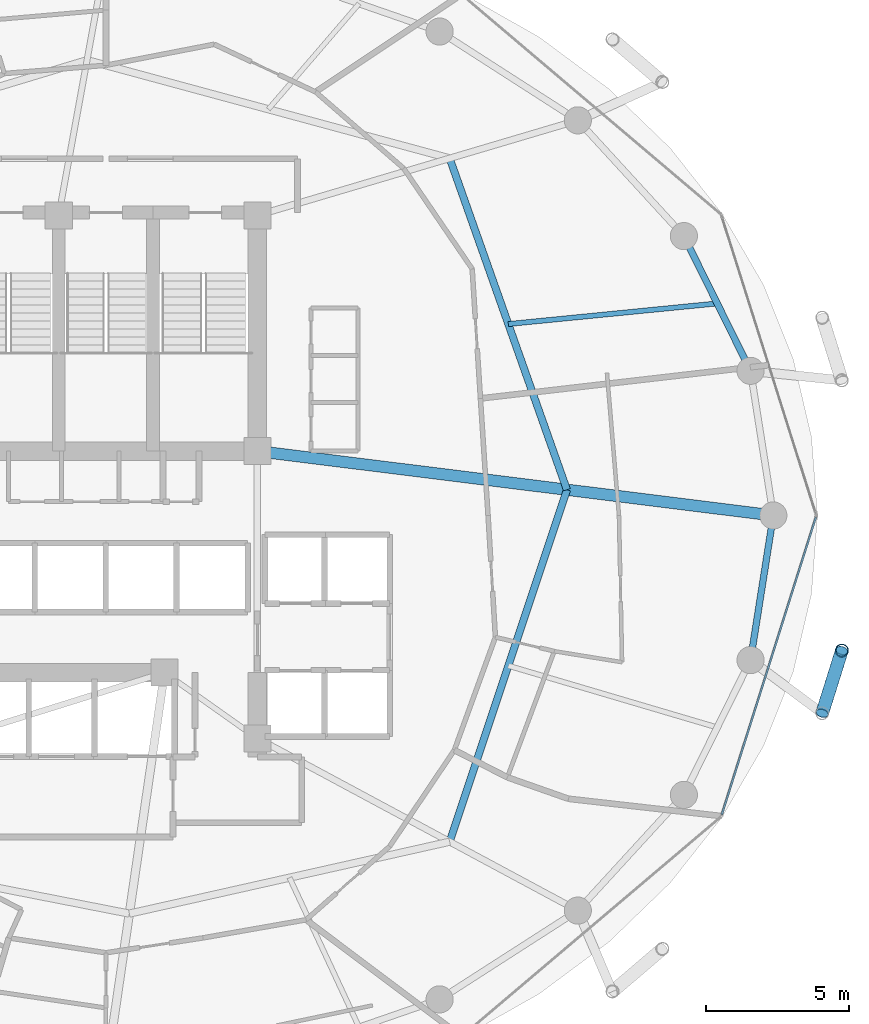
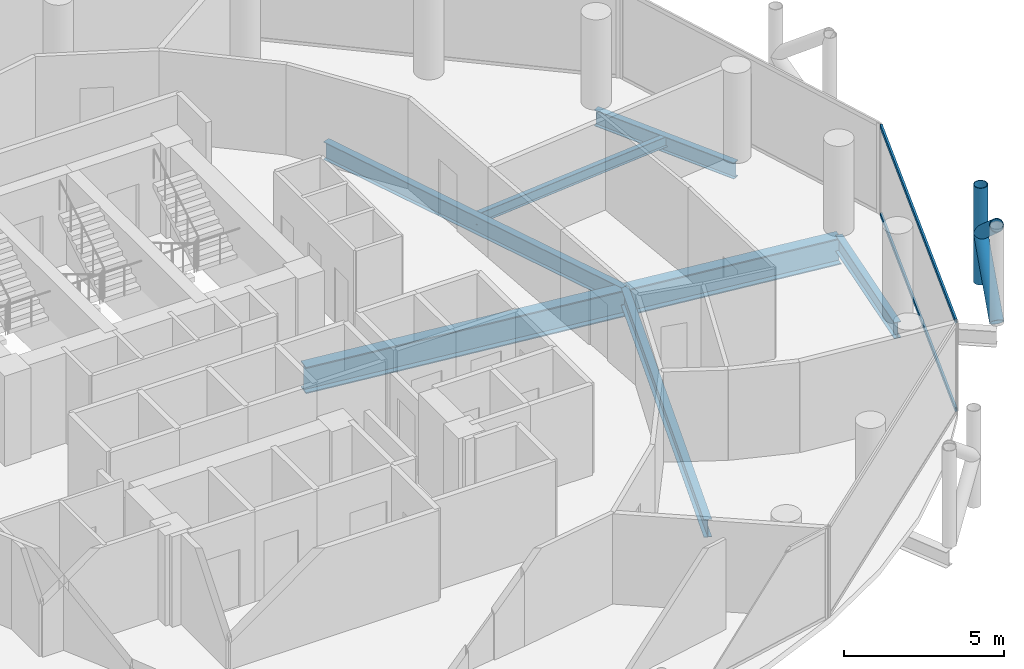
# One storey, part 11 of 26: 6 beams, 5 members, 1 element without a shape of its own.
"""IFC4 building model written with IfcOpenShell, lengths in metres."""

from ifc_helpers import new_model, si_unit, direction, frame, origin, origin_2d, place, context, subcontext, project, spatial, hollow_rectangle, hollow_circle, i_section, extrude, material, layer, layer_set, material_profile, profile_set, type_object, element, aggregate, save


model = new_model("IFC4")

# Units and contexts
model_context = context("Model", 3, precision=1e-05, world=origin(), true_north=direction((0.0, 1.0)))
body_context = subcontext(model_context, "Body", "Model", "MODEL_VIEW")
ifc_project = project(units=[si_unit("LENGTHUNIT", "METRE"), si_unit("AREAUNIT", "SQUARE_METRE"), si_unit("VOLUMEUNIT", "CUBIC_METRE"), si_unit("PLANEANGLEUNIT", "RADIAN"), si_unit("MASSUNIT", "GRAM", prefix="KILO")], contexts=[model_context])

# Site, building, storey
site_placement = place(None, origin())
site = spatial("IfcSite", under=ifc_project, at=site_placement, CompositionType="ELEMENT")
building_placement = place(site_placement, origin())
building = spatial("IfcBuilding", under=site, at=building_placement, Name="Nuhasar Tower", CompositionType="ELEMENT")
storey_placement = place(building_placement, frame((0.0, 0.0, 133.050048828125)))
storey = spatial("IfcBuildingStorey", under=building, at=storey_placement, Name="L31", CompositionType="ELEMENT", Elevation=133.050048828125)

# Beams
ifc_material_1 = material(Name="Steel S355", Category="steel")
ifc_material_profile_1 = material_profile(ifc_material_1, i_section(OverallWidth=0.25390625, OverallDepth=0.68408203125, WebThickness=0.012451171875, FlangeThickness=0.018798828125, at=origin_2d()), Name="W27X94")
ifc_profile_set_1 = profile_set([ifc_material_profile_1], Name="Steel S355")
beam_type_1 = type_object("IfcBeamType", Name="BM-INRING-W27X94", PredefinedType="BEAM", material=ifc_profile_set_1)
beam_1_placement = place(storey_placement, frame((51.027099609375, 15.385986328125, -0.592041015625), z_axis=(0.31609797573, 0.948726551615, 0.0), x_axis=(-0.948726551615, 0.31609797573, 0.0)))
element("IfcBeam", 1, at=beam_1_placement, inside=storey, type_object=beam_type_1, Name="L31 Inner Header Beam 03", PredefinedType="BEAM", context=body_context, shape_type="SweptSolid", body=[
    extrude(i_section(OverallWidth=0.25390625, OverallDepth=0.68408203125, WebThickness=0.012451171875, FlangeThickness=0.018798828125, at=origin_2d()), origin(), (0.0, 0.0, 1.0), 12.9794921875),
])
beam_2_placement = place(storey_placement, frame((55.1298828125, 27.699951171875, -0.592041015625), z_axis=(-0.333599821096, 0.942714781556, 0.0), x_axis=(-0.942714781556, -0.333599821096, 0.0)))
element("IfcBeam", 2, at=beam_2_placement, inside=storey, type_object=beam_type_1, Name="L31 Inner Header Beam 04", PredefinedType="BEAM", context=body_context, shape_type="SweptSolid", body=[
    extrude(i_section(OverallWidth=0.25390625, OverallDepth=0.68408203125, WebThickness=0.012451171875, FlangeThickness=0.018798828125, at=origin_2d()), origin(), (0.0, 0.0, 1.0), 12.298583984375),
])
ifc_material_profile_2 = material_profile(ifc_material_1, i_section(OverallWidth=0.177978515625, OverallDepth=0.406005859375, WebThickness=0.0078125, FlangeThickness=0.0126953125, at=origin_2d()), Name="W16X40")
ifc_profile_set_2 = profile_set([ifc_material_profile_2], Name="Steel S355")
beam_type_2 = type_object("IfcBeamType", Name="BM-JST-W16X40", PredefinedType="JOIST", material=ifc_profile_set_2)
beam_3_placement = place(storey_placement, frame((53.0791015625, 33.4970703125, -0.453125), z_axis=(0.995170244515, 0.098164068947, 0.0), x_axis=(-0.098164068947, 0.995170244515, 0.0)))
element("IfcBeam", 3, at=beam_3_placement, inside=storey, type_object=beam_type_2, Name="L31 Secondary Floor Joist 04", PredefinedType="JOIST", context=body_context, shape_type="SweptSolid", body=[
    extrude(i_section(OverallWidth=0.177978515625, OverallDepth=0.406005859375, WebThickness=0.0078125, FlangeThickness=0.0126953125, at=origin_2d()), origin(), (0.0, 0.0, 1.0), 7.34423828125),
])
ifc_material_profile_3 = material_profile(ifc_material_1, i_section(OverallWidth=0.22998046875, OverallDepth=0.616943359375, WebThickness=0.01318359375, FlangeThickness=0.022216796875, at=origin_2d()), Name="W24X94")
ifc_profile_set_3 = profile_set([ifc_material_profile_3], Name="Steel S355")
beam_type_3 = type_object("IfcBeamType", Name="BM-RING-W24X94", PredefinedType="SPANDREL", material=ifc_profile_set_3)
beam_4_placement = place(storey_placement, frame((61.553955078125, 31.860107421875, -0.55810546875), z_axis=(-0.443347771709, 0.896349682501, 0.0), x_axis=(-0.896349682501, -0.443347771709, 0.0)))
element("IfcBeam", 4, at=beam_4_placement, inside=storey, type_object=beam_type_3, Name="L31 Perimeter Ring Spandrel 02", PredefinedType="SPANDREL", context=body_context, shape_type="SweptSolid", body=[
    extrude(i_section(OverallWidth=0.22998046875, OverallDepth=0.616943359375, WebThickness=0.01318359375, FlangeThickness=0.022216796875, at=origin_2d()), origin(), (0.0, 0.0, 1.0), 5.260009765625),
])
beam_5_placement = place(storey_placement, frame((61.553955078125, 21.739990234375, -0.55810546875), z_axis=(0.155426543608, 0.987847452566, 0.0), x_axis=(-0.987847452566, 0.155426543608, 0.0)))
element("IfcBeam", 5, at=beam_5_placement, inside=storey, type_object=beam_type_3, Name="L31 Perimeter Ring Spandrel 24", PredefinedType="SPANDREL", context=body_context, shape_type="SweptSolid", body=[
    extrude(i_section(OverallWidth=0.22998046875, OverallDepth=0.616943359375, WebThickness=0.01318359375, FlangeThickness=0.022216796875, at=origin_2d()), origin(), (0.0, 0.0, 1.0), 5.122314453125),
])
ifc_material_2 = material(Name="Steel S460", Category="steel")
ifc_material_profile_4 = material_profile(ifc_material_2, i_section(OverallWidth=0.40087890625, OverallDepth=1.010009765625, WebThickness=0.023681640625, FlangeThickness=0.0419921875, at=origin_2d()), Name="W40X297")
ifc_profile_set_4 = profile_set([ifc_material_profile_4], Name="Steel S460")
beam_type_4 = type_object("IfcBeamType", Name="BM-XFER-W40X297", PredefinedType="USERDEFINED", material=ifc_profile_set_4)
beam_6_placement = place(storey_placement, frame((44.300048828125, 29.050048828125, -0.755126953125), z_axis=(0.992320149485, -0.123696082908, 0.0), x_axis=(0.123696082908, 0.992320149485, 0.0)))
element("IfcBeam", 6, at=beam_6_placement, inside=storey, type_object=beam_type_4, Name="L31 Radial Floor Girder 04", ObjectType="GIRDER", PredefinedType="USERDEFINED", context=body_context, shape_type="SweptSolid", body=[
    extrude(i_section(OverallWidth=0.40087890625, OverallDepth=1.010009765625, WebThickness=0.023681640625, FlangeThickness=0.0419921875, at=origin_2d()), origin(), (0.0, 0.0, 1.0), 18.189697265625),
])

# Curtain wall, members
ifc_material_3 = material(Name="Aluminium 6063-T6", Category="aluminium")
ifc_layer = layer(ifc_material_3, 0.199951171875)
ifc_layer_set = layer_set([ifc_layer], Name="Aluminium 6063-T6")
curtain_wall_type = type_object("IfcCurtainWallType", Name="CW-Z2-HTL", PredefinedType="NOTDEFINED", material=ifc_layer_set)
curtain_wall_placement = place(storey_placement, origin())
curtain_wall = element("IfcCurtainWall", 7, at=curtain_wall_placement, inside=storey, type_object=curtain_wall_type, Name="L31 Unitised Curtain Wall 12", PredefinedType="NOTDEFINED")
ifc_material_profile_5 = material_profile(ifc_material_3, hollow_rectangle(XDim=0.070068359375, YDim=0.159912109375, WallThickness=0.00439453125, at=origin_2d()), Name="CWT-3")
ifc_profile_set_5 = profile_set([ifc_material_profile_5], Name="Aluminium 6063-T6")
member_type_1 = type_object("IfcMemberType", Name="CW-TRN-S3", PredefinedType="USERDEFINED", material=ifc_profile_set_5)
member_1_placement = place(storey_placement, frame((60.550048828125, 16.336669921875, 0.034912109375), z_axis=(0.301608163352, 0.953431967053, 0.0), x_axis=(-0.953431967053, 0.301608163352, 0.0)))
member_1 = element("IfcMember", 8, at=member_1_placement, type_object=member_type_1, Name="CW-Z2 transom 1.1", ObjectType="TRANSOM", PredefinedType="USERDEFINED", context=body_context, shape_type="SweptSolid", body=[
    extrude(hollow_rectangle(XDim=0.070068359375, YDim=0.159912109375, WallThickness=0.00439453125, at=origin_2d()), origin(), (0.0, 0.0, 1.0), 10.904296875),
])
member_2_placement = place(storey_placement, frame((60.550048828125, 16.336669921875, 3.4150390625), z_axis=(0.301608163352, 0.953431967053, 0.0), x_axis=(-0.953431967053, 0.301608163352, 0.0)))
member_2 = element("IfcMember", 9, at=member_2_placement, type_object=member_type_1, Name="CW-Z2 transom 1.2", ObjectType="TRANSOM", PredefinedType="USERDEFINED", context=body_context, shape_type="SweptSolid", body=[
    extrude(hollow_rectangle(XDim=0.070068359375, YDim=0.159912109375, WallThickness=0.00439453125, at=origin_2d()), origin(), (0.0, 0.0, 1.0), 10.904296875),
])
aggregate(curtain_wall, [member_1, member_2])

# Members
ifc_material_profile_6 = material_profile(ifc_material_2, hollow_circle(Radius=0.228515625, WallThickness=0.022216796875, at=origin_2d()), Name="HSS457X22.2")
ifc_profile_set_6 = profile_set([ifc_material_profile_6], Name="Steel S460")
member_type_2 = type_object("IfcMemberType", Name="EXO-BRONZE-457", PredefinedType="BRACE", material=ifc_profile_set_6)
member_3_placement = place(storey_placement, frame((64.748046875, 22.073974609375, 0.0), z_axis=(0.0, 0.0, 1.0), x_axis=(1.0, 0.0, 0.0)))
element("IfcMember", 10, at=member_3_placement, inside=storey, type_object=member_type_2, Name="L31 Exoskeleton Chord Column EC-12B", PredefinedType="BRACE", context=body_context, shape_type="SweptSolid", body=[
    extrude(hollow_circle(Radius=0.228515625, WallThickness=0.022216796875, at=origin_2d()), origin(), (0.0, 0.0, 1.0), 3.699951171875),
])
member_4_placement = place(storey_placement, frame((64.06005859375, 19.87890625, 0.0), z_axis=(0.233067628236, 0.74361641074, 0.626669062861), x_axis=(-0.954228474306, 0.29907861646, 0.0)))
element("IfcMember", 11, at=member_4_placement, inside=storey, type_object=member_type_2, Name="L31 Bronze Diagrid Brace W1-12", PredefinedType="BRACE", context=body_context, shape_type="SweptSolid", body=[
    extrude(hollow_circle(Radius=0.228515625, WallThickness=0.022216796875, at=origin_2d()), origin(), (0.0, 0.0, 1.0), 2.951904296875),
])
member_5_placement = place(storey_placement, frame((64.748046875, 22.073974609375, 1.849853515625), z_axis=(-0.233055548538, -0.743577869731, 0.626719285599), x_axis=(0.954228474306, -0.29907861646, 0.0)))
element("IfcMember", 12, at=member_5_placement, inside=storey, type_object=member_type_2, Name="L31 Bronze Diagrid Brace W2-12", PredefinedType="BRACE", context=body_context, shape_type="SweptSolid", body=[
    extrude(hollow_circle(Radius=0.228515625, WallThickness=0.022216796875, at=origin_2d()), origin(), (0.0, 0.0, 1.0), 2.9521484375),
])

save(model, "model.ifc")
